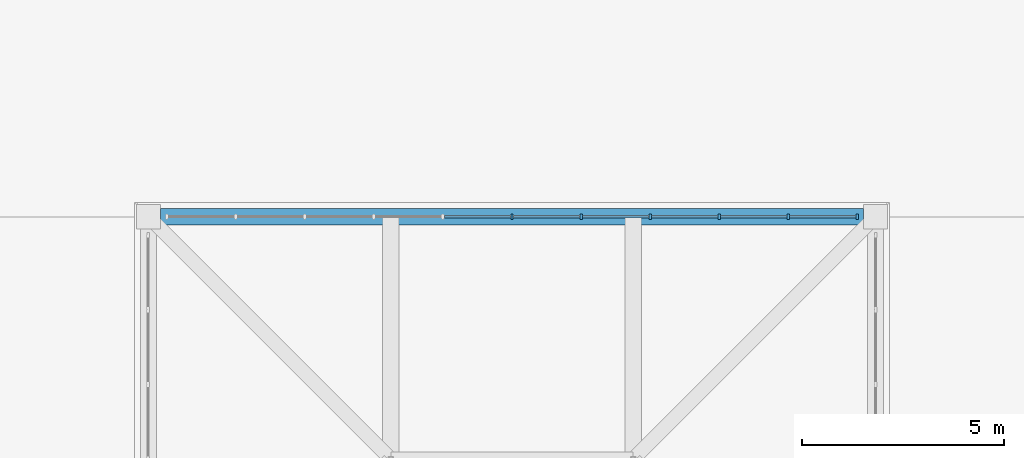
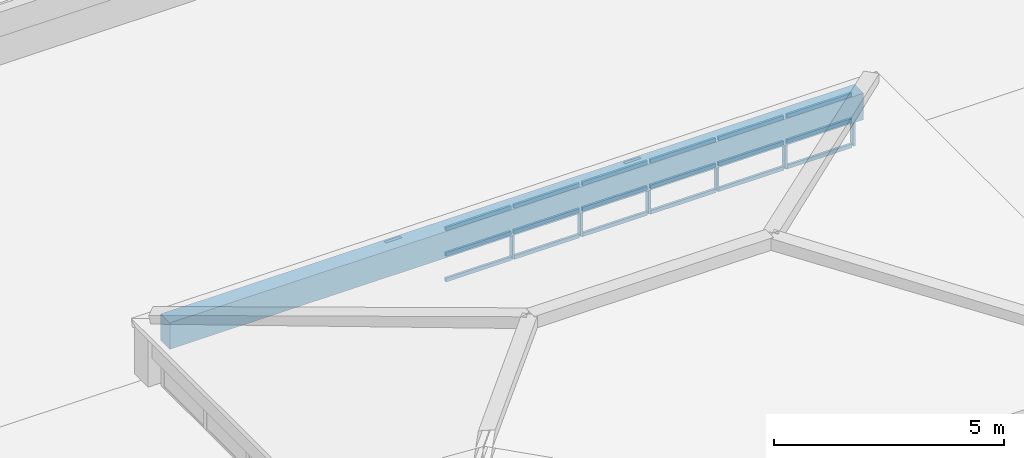
# One storey, part 39 of 56: 24 members, 1 beam, 1 element without a shape of its own.
"""IFC4 building model written with IfcOpenShell, lengths in metres."""

from ifc_helpers import new_model, si_unit, direction, frame, origin, origin_2d, place, context, subcontext, project, spatial, rectangle, extrude, material, layer, layer_set, material_profile, profile_set, type_object, element, aggregate, save


model = new_model("IFC4")

# Units and contexts
model_context = context("Model", 3, precision=1e-05, world=origin(), true_north=direction((0.0, 1.0)))
body_context = subcontext(model_context, "Body", "Model", "MODEL_VIEW")
ifc_project = project(units=[si_unit("LENGTHUNIT", "METRE"), si_unit("AREAUNIT", "SQUARE_METRE"), si_unit("VOLUMEUNIT", "CUBIC_METRE"), si_unit("PLANEANGLEUNIT", "RADIAN"), si_unit("MASSUNIT", "GRAM", prefix="KILO")], contexts=[model_context])

# Site, building, storey
site_placement = place(None, origin())
site = spatial("IfcSite", under=ifc_project, at=site_placement, CompositionType="ELEMENT")
building_placement = place(site_placement, origin())
building = spatial("IfcBuilding", under=site, at=building_placement, Name="Zacnel Wholesale Market", CompositionType="ELEMENT")
storey_placement = place(building_placement, frame((0.0, 0.0, 20.300048828125)))
storey = spatial("IfcBuildingStorey", under=building, at=storey_placement, Name="RF", CompositionType="ELEMENT", Elevation=20.300048828125)

# Beam
ifc_material_1 = material(Name="Precast concrete C45/55", Category="concrete")
ifc_material_profile_1 = material_profile(ifc_material_1, rectangle(XDim=0.39990234375, YDim=0.699951171875, at=origin_2d()), Name="PG 400x700")
ifc_profile_set_1 = profile_set([ifc_material_profile_1], Name="Precast concrete C45/55")
beam_type = type_object("IfcBeamType", Name="BM-PG700", PredefinedType="BEAM", material=ifc_profile_set_1)
beam_placement = place(storey_placement, frame((153.300048828125, 120.0, -2.820068359375), z_axis=(1.0, 0.0, 0.0), x_axis=(0.0, 1.0, 0.0)))
element("IfcBeam", 1, at=beam_placement, inside=storey, type_object=beam_type, Name="Crossing lantern ring beam 02", PredefinedType="BEAM", context=body_context, shape_type="SweptSolid", body=[
    extrude(rectangle(XDim=0.39990234375, YDim=0.699951171875, at=origin_2d()), origin(), (0.0, 0.0, 1.0), 17.39990234375),
])

# Curtain wall, members
ifc_material_2 = material(Name="Anodised aluminium", Category="aluminium")
ifc_layer = layer(ifc_material_2, 0.14990234375)
ifc_layer_set = layer_set([ifc_layer], Name="Anodised aluminium")
curtain_wall_type = type_object("IfcCurtainWallType", Name="CW-CLER-3600", PredefinedType="NOTDEFINED", material=ifc_layer_set)
curtain_wall_placement = place(storey_placement, origin())
curtain_wall = element("IfcCurtainWall", 2, at=curtain_wall_placement, inside=storey, type_object=curtain_wall_type, Name="Curtain wall ENV-CW-XLAN-N", PredefinedType="NOTDEFINED")
ifc_material_3 = material(Name="Anodised aluminium", Category="aluminium")
ifc_material_profile_2 = material_profile(ifc_material_3, rectangle(XDim=0.06005859375, YDim=0.1298828125, at=origin_2d()), Name="AW-MULLION 60x130")
ifc_profile_set_2 = profile_set([ifc_material_profile_2], Name="Anodised aluminium")
member_type_1 = type_object("IfcMemberType", Name="CWM-MUL-06", PredefinedType="MULLION", material=ifc_profile_set_2)
member_1_placement = place(storey_placement, frame((162.0, 120.0, -3.900146484375), z_axis=(0.0, 0.0, 1.0), x_axis=(1.0, 0.0, 0.0)))
member_1 = element("IfcMember", 3, at=member_1_placement, type_object=member_type_1, Name="ENV-CW-XLAN-N mullion 06", PredefinedType="MULLION", context=body_context, shape_type="SweptSolid", body=[
    extrude(rectangle(XDim=0.06005859375, YDim=0.1298828125, at=origin_2d()), origin(), (0.0, 0.0, 1.0), 1.35009765625),
])
member_2_placement = place(storey_placement, frame((163.7099609375, 120.0, -3.900146484375), z_axis=(0.0, 0.0, 1.0), x_axis=(1.0, 0.0, 0.0)))
member_2 = element("IfcMember", 4, at=member_2_placement, type_object=member_type_1, Name="ENV-CW-XLAN-N mullion 07", PredefinedType="MULLION", context=body_context, shape_type="SweptSolid", body=[
    extrude(rectangle(XDim=0.06005859375, YDim=0.1298828125, at=origin_2d()), origin(), (0.0, 0.0, 1.0), 1.35009765625),
])
member_3_placement = place(storey_placement, frame((165.419921875, 120.0, -3.900146484375), z_axis=(0.0, 0.0, 1.0), x_axis=(1.0, 0.0, 0.0)))
member_3 = element("IfcMember", 5, at=member_3_placement, type_object=member_type_1, Name="ENV-CW-XLAN-N mullion 08", PredefinedType="MULLION", context=body_context, shape_type="SweptSolid", body=[
    extrude(rectangle(XDim=0.06005859375, YDim=0.1298828125, at=origin_2d()), origin(), (0.0, 0.0, 1.0), 1.35009765625),
])
member_4_placement = place(storey_placement, frame((167.1298828125, 120.0, -3.900146484375), z_axis=(0.0, 0.0, 1.0), x_axis=(1.0, 0.0, 0.0)))
member_4 = element("IfcMember", 6, at=member_4_placement, type_object=member_type_1, Name="ENV-CW-XLAN-N mullion 09", PredefinedType="MULLION", context=body_context, shape_type="SweptSolid", body=[
    extrude(rectangle(XDim=0.06005859375, YDim=0.1298828125, at=origin_2d()), origin(), (0.0, 0.0, 1.0), 1.35009765625),
])
member_5_placement = place(storey_placement, frame((168.840087890625, 120.0, -3.900146484375), z_axis=(0.0, 0.0, 1.0), x_axis=(1.0, 0.0, 0.0)))
member_5 = element("IfcMember", 7, at=member_5_placement, type_object=member_type_1, Name="ENV-CW-XLAN-N mullion 10", PredefinedType="MULLION", context=body_context, shape_type="SweptSolid", body=[
    extrude(rectangle(XDim=0.06005859375, YDim=0.1298828125, at=origin_2d()), origin(), (0.0, 0.0, 1.0), 1.35009765625),
])
member_6_placement = place(storey_placement, frame((170.550048828125, 120.0, -3.900146484375), z_axis=(0.0, 0.0, 1.0), x_axis=(1.0, 0.0, 0.0)))
member_6 = element("IfcMember", 8, at=member_6_placement, type_object=member_type_1, Name="ENV-CW-XLAN-N mullion 11", PredefinedType="MULLION", context=body_context, shape_type="SweptSolid", body=[
    extrude(rectangle(XDim=0.06005859375, YDim=0.1298828125, at=origin_2d()), origin(), (0.0, 0.0, 1.0), 1.35009765625),
])
ifc_material_4 = material(Name="Anodised aluminium", Category="aluminium")
ifc_material_profile_3 = material_profile(ifc_material_4, rectangle(XDim=0.06005859375, YDim=0.10009765625, at=origin_2d()), Name="AW-TRANSOM 60x100")
ifc_profile_set_3 = profile_set([ifc_material_profile_3], Name="Anodised aluminium")
member_type_2 = type_object("IfcMemberType", Name="CWM-TRN-06", PredefinedType="USERDEFINED", material=ifc_profile_set_3)
member_7_placement = place(storey_placement, frame((160.324951171875, 120.0, -3.900146484375), z_axis=(1.0, 0.0, 0.0), x_axis=(0.0, 1.0, 0.0)))
member_7 = element("IfcMember", 9, at=member_7_placement, type_object=member_type_2, Name="ENV-CW-XLAN-N transom 5-1", ObjectType="TRANSOM", PredefinedType="USERDEFINED", context=body_context, shape_type="SweptSolid", body=[
    extrude(rectangle(XDim=0.06005859375, YDim=0.10009765625, at=origin_2d()), origin(), (0.0, 0.0, 1.0), 1.64013671875),
])
member_8_placement = place(storey_placement, frame((160.324951171875, 120.0, -3.22509765625), z_axis=(1.0, 0.0, 0.0), x_axis=(0.0, 1.0, 0.0)))
member_8 = element("IfcMember", 10, at=member_8_placement, type_object=member_type_2, Name="ENV-CW-XLAN-N transom 5-2", ObjectType="TRANSOM", PredefinedType="USERDEFINED", context=body_context, shape_type="SweptSolid", body=[
    extrude(rectangle(XDim=0.06005859375, YDim=0.10009765625, at=origin_2d()), origin(), (0.0, 0.0, 1.0), 1.64013671875),
])
member_9_placement = place(storey_placement, frame((160.324951171875, 120.0, -2.550048828125), z_axis=(1.0, 0.0, 0.0), x_axis=(0.0, 1.0, 0.0)))
member_9 = element("IfcMember", 11, at=member_9_placement, type_object=member_type_2, Name="ENV-CW-XLAN-N transom 5-3", ObjectType="TRANSOM", PredefinedType="USERDEFINED", context=body_context, shape_type="SweptSolid", body=[
    extrude(rectangle(XDim=0.06005859375, YDim=0.10009765625, at=origin_2d()), origin(), (0.0, 0.0, 1.0), 1.64013671875),
])
member_10_placement = place(storey_placement, frame((162.034912109375, 120.0, -3.900146484375), z_axis=(1.0, 0.0, 0.0), x_axis=(0.0, 1.0, 0.0)))
member_10 = element("IfcMember", 12, at=member_10_placement, type_object=member_type_2, Name="ENV-CW-XLAN-N transom 6-1", ObjectType="TRANSOM", PredefinedType="USERDEFINED", context=body_context, shape_type="SweptSolid", body=[
    extrude(rectangle(XDim=0.06005859375, YDim=0.10009765625, at=origin_2d()), origin(), (0.0, 0.0, 1.0), 1.64013671875),
])
member_11_placement = place(storey_placement, frame((162.034912109375, 120.0, -3.22509765625), z_axis=(1.0, 0.0, 0.0), x_axis=(0.0, 1.0, 0.0)))
member_11 = element("IfcMember", 13, at=member_11_placement, type_object=member_type_2, Name="ENV-CW-XLAN-N transom 6-2", ObjectType="TRANSOM", PredefinedType="USERDEFINED", context=body_context, shape_type="SweptSolid", body=[
    extrude(rectangle(XDim=0.06005859375, YDim=0.10009765625, at=origin_2d()), origin(), (0.0, 0.0, 1.0), 1.64013671875),
])
member_12_placement = place(storey_placement, frame((162.034912109375, 120.0, -2.550048828125), z_axis=(1.0, 0.0, 0.0), x_axis=(0.0, 1.0, 0.0)))
member_12 = element("IfcMember", 14, at=member_12_placement, type_object=member_type_2, Name="ENV-CW-XLAN-N transom 6-3", ObjectType="TRANSOM", PredefinedType="USERDEFINED", context=body_context, shape_type="SweptSolid", body=[
    extrude(rectangle(XDim=0.06005859375, YDim=0.10009765625, at=origin_2d()), origin(), (0.0, 0.0, 1.0), 1.64013671875),
])
member_13_placement = place(storey_placement, frame((163.7451171875, 120.0, -3.900146484375), z_axis=(1.0, 0.0, 0.0), x_axis=(0.0, 1.0, 0.0)))
member_13 = element("IfcMember", 15, at=member_13_placement, type_object=member_type_2, Name="ENV-CW-XLAN-N transom 7-1", ObjectType="TRANSOM", PredefinedType="USERDEFINED", context=body_context, shape_type="SweptSolid", body=[
    extrude(rectangle(XDim=0.06005859375, YDim=0.10009765625, at=origin_2d()), origin(), (0.0, 0.0, 1.0), 1.639892578125),
])
member_14_placement = place(storey_placement, frame((163.7451171875, 120.0, -3.22509765625), z_axis=(1.0, 0.0, 0.0), x_axis=(0.0, 1.0, 0.0)))
member_14 = element("IfcMember", 16, at=member_14_placement, type_object=member_type_2, Name="ENV-CW-XLAN-N transom 7-2", ObjectType="TRANSOM", PredefinedType="USERDEFINED", context=body_context, shape_type="SweptSolid", body=[
    extrude(rectangle(XDim=0.06005859375, YDim=0.10009765625, at=origin_2d()), origin(), (0.0, 0.0, 1.0), 1.639892578125),
])
member_15_placement = place(storey_placement, frame((163.7451171875, 120.0, -2.550048828125), z_axis=(1.0, 0.0, 0.0), x_axis=(0.0, 1.0, 0.0)))
member_15 = element("IfcMember", 17, at=member_15_placement, type_object=member_type_2, Name="ENV-CW-XLAN-N transom 7-3", ObjectType="TRANSOM", PredefinedType="USERDEFINED", context=body_context, shape_type="SweptSolid", body=[
    extrude(rectangle(XDim=0.06005859375, YDim=0.10009765625, at=origin_2d()), origin(), (0.0, 0.0, 1.0), 1.639892578125),
])
member_16_placement = place(storey_placement, frame((165.455078125, 120.0, -3.900146484375), z_axis=(1.0, 0.0, 0.0), x_axis=(0.0, 1.0, 0.0)))
member_16 = element("IfcMember", 18, at=member_16_placement, type_object=member_type_2, Name="ENV-CW-XLAN-N transom 8-1", ObjectType="TRANSOM", PredefinedType="USERDEFINED", context=body_context, shape_type="SweptSolid", body=[
    extrude(rectangle(XDim=0.06005859375, YDim=0.10009765625, at=origin_2d()), origin(), (0.0, 0.0, 1.0), 1.639892578125),
])
member_17_placement = place(storey_placement, frame((165.455078125, 120.0, -3.22509765625), z_axis=(1.0, 0.0, 0.0), x_axis=(0.0, 1.0, 0.0)))
member_17 = element("IfcMember", 19, at=member_17_placement, type_object=member_type_2, Name="ENV-CW-XLAN-N transom 8-2", ObjectType="TRANSOM", PredefinedType="USERDEFINED", context=body_context, shape_type="SweptSolid", body=[
    extrude(rectangle(XDim=0.06005859375, YDim=0.10009765625, at=origin_2d()), origin(), (0.0, 0.0, 1.0), 1.639892578125),
])
member_18_placement = place(storey_placement, frame((165.455078125, 120.0, -2.550048828125), z_axis=(1.0, 0.0, 0.0), x_axis=(0.0, 1.0, 0.0)))
member_18 = element("IfcMember", 20, at=member_18_placement, type_object=member_type_2, Name="ENV-CW-XLAN-N transom 8-3", ObjectType="TRANSOM", PredefinedType="USERDEFINED", context=body_context, shape_type="SweptSolid", body=[
    extrude(rectangle(XDim=0.06005859375, YDim=0.10009765625, at=origin_2d()), origin(), (0.0, 0.0, 1.0), 1.639892578125),
])
member_19_placement = place(storey_placement, frame((167.1650390625, 120.0, -3.900146484375), z_axis=(1.0, 0.0, 0.0), x_axis=(0.0, 1.0, 0.0)))
member_19 = element("IfcMember", 21, at=member_19_placement, type_object=member_type_2, Name="ENV-CW-XLAN-N transom 9-1", ObjectType="TRANSOM", PredefinedType="USERDEFINED", context=body_context, shape_type="SweptSolid", body=[
    extrude(rectangle(XDim=0.06005859375, YDim=0.10009765625, at=origin_2d()), origin(), (0.0, 0.0, 1.0), 1.639892578125),
])
member_20_placement = place(storey_placement, frame((167.1650390625, 120.0, -3.22509765625), z_axis=(1.0, 0.0, 0.0), x_axis=(0.0, 1.0, 0.0)))
member_20 = element("IfcMember", 22, at=member_20_placement, type_object=member_type_2, Name="ENV-CW-XLAN-N transom 9-2", ObjectType="TRANSOM", PredefinedType="USERDEFINED", context=body_context, shape_type="SweptSolid", body=[
    extrude(rectangle(XDim=0.06005859375, YDim=0.10009765625, at=origin_2d()), origin(), (0.0, 0.0, 1.0), 1.639892578125),
])
member_21_placement = place(storey_placement, frame((167.1650390625, 120.0, -2.550048828125), z_axis=(1.0, 0.0, 0.0), x_axis=(0.0, 1.0, 0.0)))
member_21 = element("IfcMember", 23, at=member_21_placement, type_object=member_type_2, Name="ENV-CW-XLAN-N transom 9-3", ObjectType="TRANSOM", PredefinedType="USERDEFINED", context=body_context, shape_type="SweptSolid", body=[
    extrude(rectangle(XDim=0.06005859375, YDim=0.10009765625, at=origin_2d()), origin(), (0.0, 0.0, 1.0), 1.639892578125),
])
member_22_placement = place(storey_placement, frame((168.875, 120.0, -3.900146484375), z_axis=(1.0, 0.0, 0.0), x_axis=(0.0, 1.0, 0.0)))
member_22 = element("IfcMember", 24, at=member_22_placement, type_object=member_type_2, Name="ENV-CW-XLAN-N transom 10-1", ObjectType="TRANSOM", PredefinedType="USERDEFINED", context=body_context, shape_type="SweptSolid", body=[
    extrude(rectangle(XDim=0.06005859375, YDim=0.10009765625, at=origin_2d()), origin(), (0.0, 0.0, 1.0), 1.639892578125),
])
member_23_placement = place(storey_placement, frame((168.875, 120.0, -3.22509765625), z_axis=(1.0, 0.0, 0.0), x_axis=(0.0, 1.0, 0.0)))
member_23 = element("IfcMember", 25, at=member_23_placement, type_object=member_type_2, Name="ENV-CW-XLAN-N transom 10-2", ObjectType="TRANSOM", PredefinedType="USERDEFINED", context=body_context, shape_type="SweptSolid", body=[
    extrude(rectangle(XDim=0.06005859375, YDim=0.10009765625, at=origin_2d()), origin(), (0.0, 0.0, 1.0), 1.639892578125),
])
member_24_placement = place(storey_placement, frame((168.875, 120.0, -2.550048828125), z_axis=(1.0, 0.0, 0.0), x_axis=(0.0, 1.0, 0.0)))
member_24 = element("IfcMember", 26, at=member_24_placement, type_object=member_type_2, Name="ENV-CW-XLAN-N transom 10-3", ObjectType="TRANSOM", PredefinedType="USERDEFINED", context=body_context, shape_type="SweptSolid", body=[
    extrude(rectangle(XDim=0.06005859375, YDim=0.10009765625, at=origin_2d()), origin(), (0.0, 0.0, 1.0), 1.639892578125),
])
aggregate(curtain_wall, [member_1, member_2, member_3, member_4, member_5, member_6, member_7, member_8, member_9, member_10, member_11, member_12, member_13, member_14, member_15, member_16, member_17, member_18, member_19, member_20, member_21, member_22, member_23, member_24])

save(model, "model.ifc")
